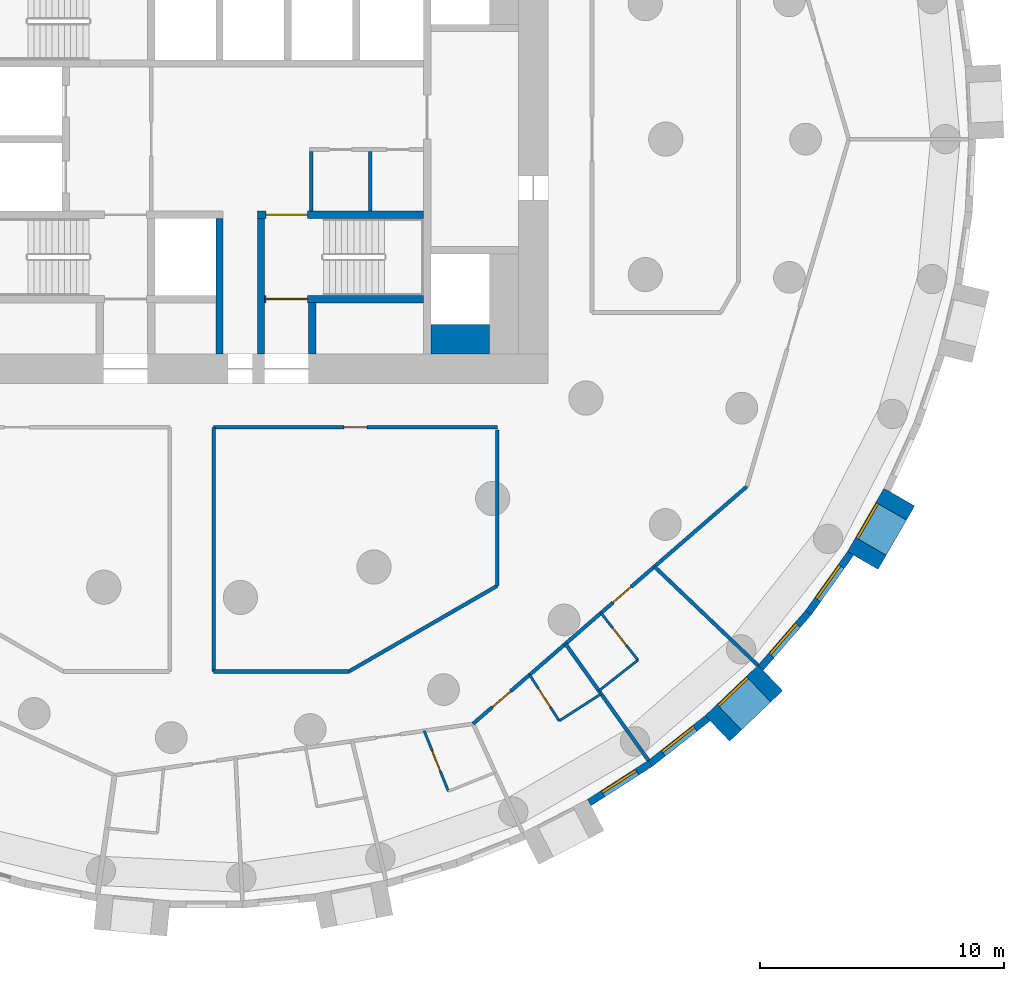
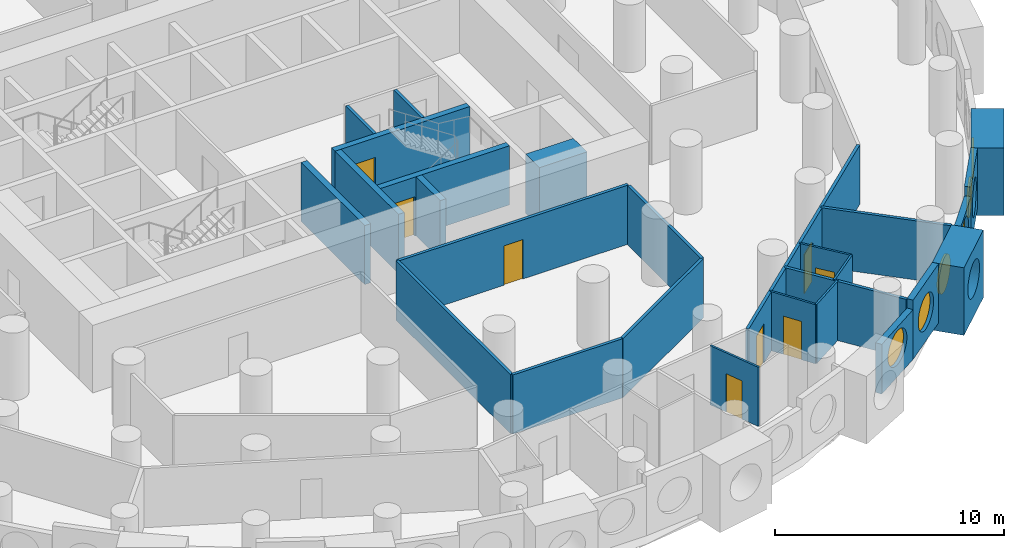
# One storey, part 5 of 11: 28 walls, 8 doors, 6 windows, 14 openings.
"""IFC4 building model written with IfcOpenShell, lengths in metres."""

from ifc_helpers import new_model, si_unit, direction, frame, frame_2d, origin, origin_2d, place, context, subcontext, project, spatial, rectangle, circle, extrude, material, layer, layer_set, type_object, element, fill, save


model = new_model("IFC4")

# Units and contexts
model_context = context("Model", 3, precision=1e-05, world=origin(), true_north=direction((0.0, 1.0)))
body_context = subcontext(model_context, "Body", "Model", "MODEL_VIEW")
ifc_project = project(units=[si_unit("LENGTHUNIT", "METRE"), si_unit("AREAUNIT", "SQUARE_METRE"), si_unit("VOLUMEUNIT", "CUBIC_METRE"), si_unit("PLANEANGLEUNIT", "RADIAN"), si_unit("MASSUNIT", "GRAM", prefix="KILO")], contexts=[model_context])

# Site, building, storey
site_placement = place(None, origin())
site = spatial("IfcSite", under=ifc_project, at=site_placement, CompositionType="ELEMENT")
building_placement = place(site_placement, origin())
building = spatial("IfcBuilding", under=site, at=building_placement, Name="Tracery Tower", CompositionType="ELEMENT")
storey_placement = place(building_placement, frame((0.0, 0.0, 96.60009765625)))
storey = spatial("IfcBuildingStorey", under=building, at=storey_placement, Name="L24", CompositionType="ELEMENT", Elevation=96.60009765625)

# Walls
ifc_material_1 = material(Name="Plasterboard on steel studs", Category="steel")
ifc_layer_1 = layer(ifc_material_1, 0.14990234375)
ifc_layer_set_1 = layer_set([ifc_layer_1], Name="Core room partition 150")
wall_type_1 = type_object("IfcWallType", Name="Core room partition 150", PredefinedType="SOLIDWALL", material=ifc_layer_set_1)
for number, where, z_axis, x_axis, name in (
    (1, (4.300048828125, -2.949951171875, 0.0), (0.0, 0.0, 1.0), (0.0, 1.0, 0.0), "L24 slot W"),
    (2, (6.72509765625, -2.949951171875, 0.0), (0.0, 0.0, 1.0), (0.0, 1.0, 0.0), "L24 slot sep 1"),
):
    element("IfcWall", number, at=place(storey_placement, frame(where, z_axis=z_axis, x_axis=x_axis)), inside=storey, type_object=wall_type_1, Name=name, PredefinedType="SOLIDWALL", context=body_context, shape_type="SweptSolid", body=[
        extrude(rectangle(XDim=2.449951171875, YDim=0.14990234375, at=frame_2d((1.22509765625, 0.0))), origin(), (0.0, 0.0, 1.0), 3.14990234375),
    ])
ifc_material_2 = material(Name="Concrete C60/75", Category="concrete")
ifc_layer_2 = layer(ifc_material_2, 1.199951171875)
ifc_layer_set_2 = layer_set([ifc_layer_2], Name="Core strip wall 1200 C60")
wall_type_2 = type_object("IfcWallType", Name="Core strip wall 1200 C60", PredefinedType="SOLIDWALL", material=ifc_layer_set_2)
wall_1_placement = place(storey_placement, frame((9.199951171875, -8.199951171875, 0.0), z_axis=(0.0, 0.0, 1.0), x_axis=(1.0, 0.0, 0.0)))
element("IfcWall", 3, at=wall_1_placement, inside=storey, type_object=wall_type_2, Name="L24 wing corner +1 -8.2", PredefinedType="SOLIDWALL", context=body_context, shape_type="SweptSolid", body=[
    extrude(rectangle(XDim=2.400146484375, YDim=1.199951171875, at=frame_2d((1.2001953125, 0.0))), origin(), (0.0, 0.0, 1.0), 3.14990234375),
])

# Wall, opening, window
ifc_material_3 = material(Name="Precast concrete C50/60", Category="concrete")
ifc_layer_3 = layer(ifc_material_3, 1.449951171875)
ifc_layer_set_3 = layer_set([ifc_layer_3], Name="Deep-set bay unit 3000 x 3600, slab edge 450")
wall_type_3 = type_object("IfcWallType", Name="Deep-set bay unit 3000 x 3600, slab edge 450", PredefinedType="ELEMENTEDWALL", material=ifc_layer_set_3)
wall_2_placement = place(storey_placement, frame((20.9375, -24.13232421875, -0.4501953125), z_axis=(0.0, 0.0, 1.0), x_axis=(0.723712023899, 0.690102098579, 0.0)))
wall_2 = element("IfcWall", 4, at=wall_2_placement, inside=storey, type_object=wall_type_3, Name="Deep-set bay unit 58 at L24", PredefinedType="ELEMENTEDWALL", context=body_context, shape_type="SweptSolid", body=[
    extrude(rectangle(XDim=3.0, YDim=1.449951171875, at=frame_2d((1.5, 0.0))), origin(), (0.0, 0.0, 1.0), 3.60009765625),
])
opening_1_placement = place(wall_2_placement, frame((1.5, 0.0, 2.0)))
opening_1 = element("IfcOpeningElement", 5, at=opening_1_placement, cuts=wall_2, Name="Opening WN1", PredefinedType="OPENING", context=body_context, shape_type="SweptSolid", body=[
    extrude(circle(Radius=0.9000244140625, at=origin_2d()), frame((0.0, 0.73486328125, 0.0), z_axis=(0.0, -1.0, 0.0), x_axis=(1.0, 0.0, 0.0)), (0.0, 0.0, 1.0), 1.469970703125),
])
ifc_material_4 = material(Name="Aluminium frame with tinted double glazing", Category="aluminium")
window_type = type_object("IfcWindowType", Name="Round window 1800", PartitioningType="SINGLE_PANEL", PredefinedType="WINDOW", material=ifc_material_4)
window_1_placement = place(opening_1_placement, origin())
window_1 = element("IfcWindow", 6, at=window_1_placement, inside=storey, type_object=window_type, Name="Round window 58 at L24", OverallHeight=1.800048828125, OverallWidth=1.800048828125, PartitioningType="SINGLE_PANEL", PredefinedType="WINDOW", context=body_context, shape_type="SweptSolid", body=[
    extrude(circle(Radius=0.9000244140625, at=origin_2d()), frame((0.0, 0.69482421875, 0.0), z_axis=(0.0, -1.0, 0.0), x_axis=(1.0, 0.0, 0.0)), (0.0, 0.0, 1.0), 0.10009765625),
])
fill(opening_1, window_1)

wall_3_placement = place(storey_placement, frame((26.88818359375, -17.256103515625, -0.4501953125), z_axis=(0.0, 0.0, 1.0), x_axis=(0.499990139034, 0.866031096941, 0.0)))
wall_3 = element("IfcWall", 7, at=wall_3_placement, inside=storey, type_object=wall_type_3, Name="Deep-set bay unit 61 at L24", PredefinedType="ELEMENTEDWALL", context=body_context, shape_type="SweptSolid", body=[
    extrude(rectangle(XDim=3.0, YDim=1.449951171875, at=frame_2d((1.5, 0.0))), origin(), (0.0, 0.0, 1.0), 3.60009765625),
])
opening_2_placement = place(wall_3_placement, frame((1.5, 0.0, 2.0)))
opening_2 = element("IfcOpeningElement", 8, at=opening_2_placement, cuts=wall_3, Name="Opening WN1", PredefinedType="OPENING", context=body_context, shape_type="SweptSolid", body=[
    extrude(circle(Radius=0.9000244140625, at=origin_2d()), frame((0.0, 0.73486328125, 0.0), z_axis=(0.0, -1.0, 0.0), x_axis=(1.0, 0.0, 0.0)), (0.0, 0.0, 1.0), 1.469970703125),
])
window_2_placement = place(opening_2_placement, origin())
window_2 = element("IfcWindow", 9, at=window_2_placement, inside=storey, type_object=window_type, Name="Round window 61 at L24", OverallHeight=1.800048828125, OverallWidth=1.800048828125, PartitioningType="SINGLE_PANEL", PredefinedType="WINDOW", context=body_context, shape_type="SweptSolid", body=[
    extrude(circle(Radius=0.9000244140625, at=origin_2d()), frame((0.0, 0.69482421875, 0.0), z_axis=(0.0, -1.0, 0.0), x_axis=(1.0, 0.0, 0.0)), (0.0, 0.0, 1.0), 0.10009765625),
])
fill(opening_2, window_2)

ifc_material_5 = material(Name="Precast concrete C50/60", Category="concrete")
ifc_layer_4 = layer(ifc_material_5, 0.300048828125)
ifc_layer_set_4 = layer_set([ifc_layer_4], Name="Facade panel 3000 x 2650")
wall_type_4 = type_object("IfcWallType", Name="Facade panel 3000 x 2650", PredefinedType="SOLIDWALL", material=ifc_layer_set_4)
wall_4_placement = place(storey_placement, frame((15.6923828125, -27.167724609375, 0.0), z_axis=(0.0, 0.0, 1.0), x_axis=(0.841260995538, 0.54062920508, 0.0)))
wall_4 = element("IfcWall", 10, at=wall_4_placement, inside=storey, type_object=wall_type_4, Name="Facade panel 56 at L24", PredefinedType="SOLIDWALL", context=body_context, shape_type="SweptSolid", body=[
    extrude(rectangle(XDim=2.9794921875, YDim=0.300048828125, at=frame_2d((1.48974609375, 0.0))), origin(), (0.0, 0.0, 1.0), 2.64990234375),
])
opening_3_placement = place(wall_4_placement, frame((1.48974609375, 0.0, 1.5498046875)))
opening_3 = element("IfcOpeningElement", 11, at=opening_3_placement, cuts=wall_4, Name="Opening WN1", PredefinedType="OPENING", context=body_context, shape_type="SweptSolid", body=[
    extrude(circle(Radius=0.9000244140625, at=origin_2d()), frame((0.0, 0.159912109375, 0.0), z_axis=(0.0, -1.0, 0.0), x_axis=(1.0, 0.0, 0.0)), (0.0, 0.0, 1.0), 0.320068359375),
])
window_3_placement = place(opening_3_placement, origin())
window_3 = element("IfcWindow", 12, at=window_3_placement, inside=storey, type_object=window_type, Name="Round window 56 at L24", OverallHeight=1.800048828125, OverallWidth=1.800048828125, PartitioningType="SINGLE_PANEL", PredefinedType="WINDOW", context=body_context, shape_type="SweptSolid", body=[
    extrude(circle(Radius=0.9000244140625, at=origin_2d()), frame((0.0, 0.1201171875, 0.0), z_axis=(0.0, -1.0, 0.0), x_axis=(1.0, 0.0, 0.0)), (0.0, 0.0, 1.0), 0.10009765625),
])
fill(opening_3, window_3)

wall_5_placement = place(storey_placement, frame((22.710693359375, -21.646240234375, 0.0), z_axis=(0.0, 0.0, 1.0), x_axis=(0.654830712471, 0.755775587066, 0.0)))
wall_5 = element("IfcWall", 13, at=wall_5_placement, inside=storey, type_object=wall_type_4, Name="Facade panel 59 at L24", PredefinedType="SOLIDWALL", context=body_context, shape_type="SweptSolid", body=[
    extrude(rectangle(XDim=2.979736328125, YDim=0.300048828125, at=frame_2d((1.48974609375, 0.0))), origin(), (0.0, 0.0, 1.0), 2.64990234375),
])
opening_4_placement = place(wall_5_placement, frame((1.48974609375, 0.0, 1.5498046875)))
opening_4 = element("IfcOpeningElement", 14, at=opening_4_placement, cuts=wall_5, Name="Opening WN1", PredefinedType="OPENING", context=body_context, shape_type="SweptSolid", body=[
    extrude(circle(Radius=0.9000244140625, at=origin_2d()), frame((0.0, 0.159912109375, 0.0), z_axis=(0.0, -1.0, 0.0), x_axis=(1.0, 0.0, 0.0)), (0.0, 0.0, 1.0), 0.320068359375),
])
window_4_placement = place(opening_4_placement, origin())
window_4 = element("IfcWindow", 15, at=window_4_placement, inside=storey, type_object=window_type, Name="Round window 59 at L24", OverallHeight=1.800048828125, OverallWidth=1.800048828125, PartitioningType="SINGLE_PANEL", PredefinedType="WINDOW", context=body_context, shape_type="SweptSolid", body=[
    extrude(circle(Radius=0.9000244140625, at=origin_2d()), frame((0.0, 0.1201171875, 0.0), z_axis=(0.0, -1.0, 0.0), x_axis=(1.0, 0.0, 0.0)), (0.0, 0.0, 1.0), 0.10009765625),
])
fill(opening_4, window_4)

ifc_material_6 = material(Name="Precast concrete C50/60", Category="concrete")
ifc_layer_5 = layer(ifc_material_6, 0.300048828125)
ifc_layer_set_5 = layer_set([ifc_layer_5], Name="Facade panel 3000 x 3150")
wall_type_5 = type_object("IfcWallType", Name="Facade panel 3000 x 3150", PredefinedType="SOLIDWALL", material=ifc_layer_set_5)
wall_6_placement = place(storey_placement, frame((18.198974609375, -25.556884765625, 0.0), z_axis=(0.0, 0.0, 1.0), x_axis=(0.786053834673, 0.618158045322, 0.0)))
wall_6 = element("IfcWall", 16, at=wall_6_placement, inside=storey, type_object=wall_type_5, Name="Facade panel 57 at L24", PredefinedType="SOLIDWALL", context=body_context, shape_type="SweptSolid", body=[
    extrude(rectangle(XDim=2.9794921875, YDim=0.300048828125, at=frame_2d((1.48974609375, 0.0))), origin(), (0.0, 0.0, 1.0), 3.14990234375),
])
opening_5_placement = place(wall_6_placement, frame((1.48974609375, 0.0, 1.5498046875)))
opening_5 = element("IfcOpeningElement", 17, at=opening_5_placement, cuts=wall_6, Name="Opening WN1", PredefinedType="OPENING", context=body_context, shape_type="SweptSolid", body=[
    extrude(circle(Radius=0.9000244140625, at=origin_2d()), frame((0.0, 0.159912109375, 0.0), z_axis=(0.0, -1.0, 0.0), x_axis=(1.0, 0.0, 0.0)), (0.0, 0.0, 1.0), 0.320068359375),
])
window_5_placement = place(opening_5_placement, origin())
window_5 = element("IfcWindow", 18, at=window_5_placement, inside=storey, type_object=window_type, Name="Round window 57 at L24", OverallHeight=1.800048828125, OverallWidth=1.800048828125, PartitioningType="SINGLE_PANEL", PredefinedType="WINDOW", context=body_context, shape_type="SweptSolid", body=[
    extrude(circle(Radius=0.9000244140625, at=origin_2d()), frame((0.0, 0.1201171875, 0.0), z_axis=(0.0, -1.0, 0.0), x_axis=(1.0, 0.0, 0.0)), (0.0, 0.0, 1.0), 0.10009765625),
])
fill(opening_5, window_5)

wall_7_placement = place(storey_placement, frame((24.661865234375, -19.394287109375, 0.0), z_axis=(0.0, 0.0, 1.0), x_axis=(0.580113774115, 0.814535456, 0.0)))
wall_7 = element("IfcWall", 19, at=wall_7_placement, inside=storey, type_object=wall_type_5, Name="Facade panel 60 at L24", PredefinedType="SOLIDWALL", context=body_context, shape_type="SweptSolid", body=[
    extrude(rectangle(XDim=2.979736328125, YDim=0.300048828125, at=frame_2d((1.48974609375, 0.0))), origin(), (0.0, 0.0, 1.0), 3.14990234375),
])
opening_6_placement = place(wall_7_placement, frame((1.48974609375, 0.0, 1.5498046875)))
opening_6 = element("IfcOpeningElement", 20, at=opening_6_placement, cuts=wall_7, Name="Opening WN1", PredefinedType="OPENING", context=body_context, shape_type="SweptSolid", body=[
    extrude(circle(Radius=0.9000244140625, at=origin_2d()), frame((0.0, 0.159912109375, 0.0), z_axis=(0.0, -1.0, 0.0), x_axis=(1.0, 0.0, 0.0)), (0.0, 0.0, 1.0), 0.320068359375),
])
window_6_placement = place(opening_6_placement, origin())
window_6 = element("IfcWindow", 21, at=window_6_placement, inside=storey, type_object=window_type, Name="Round window 60 at L24", OverallHeight=1.800048828125, OverallWidth=1.800048828125, PartitioningType="SINGLE_PANEL", PredefinedType="WINDOW", context=body_context, shape_type="SweptSolid", body=[
    extrude(circle(Radius=0.9000244140625, at=origin_2d()), frame((0.0, 0.1201171875, 0.0), z_axis=(0.0, -1.0, 0.0), x_axis=(1.0, 0.0, 0.0)), (0.0, 0.0, 1.0), 0.10009765625),
])
fill(opening_6, window_6)

# Wall, opening, door
ifc_material_7 = material(Name="Plasterboard on steel studs", Category="steel")
ifc_layer_6 = layer(ifc_material_7, 0.10009765625)
ifc_layer_set_6 = layer_set([ifc_layer_6], Name="Partition 100 wet wall")
wall_type_6 = type_object("IfcWallType", Name="Partition 100 wet wall", PredefinedType="PARTITIONING", material=ifc_layer_set_6)
wall_8_placement = place(storey_placement, frame((8.929931640625, -24.22802734375, 0.0), z_axis=(0.0, 0.0, 1.0), x_axis=(0.371564281805, -0.928407229876, 0.0)))
wall_8 = element("IfcWall", 22, at=wall_8_placement, inside=storey, type_object=wall_type_6, Name="Wet wall RA7-079", PredefinedType="PARTITIONING", context=body_context, shape_type="SweptSolid", body=[
    extrude(rectangle(XDim=2.6669921875, YDim=0.10009765625, at=frame_2d((1.33349609375, 0.0))), origin(), (0.0, 0.0, 1.0), 3.14990234375),
])
opening_7_placement = place(wall_8_placement, frame((0.883056640625, 0.0, 0.0)))
opening_7 = element("IfcOpeningElement", 23, at=opening_7_placement, cuts=wall_8, Name="Opening RA7-31", PredefinedType="OPENING", context=body_context, shape_type="SweptSolid", body=[
    extrude(rectangle(XDim=0.89990234375, YDim=2.0400390625, at=frame_2d((0.449951171875, 1.02001953125))), frame((0.0, 0.050048828125, 0.0), z_axis=(0.0, -1.0, 0.0), x_axis=(1.0, 0.0, 0.0)), (0.0, 0.0, 1.0), 0.10009765625),
])
ifc_material_8 = material(Name="Timber door leaf", Category="wood")
door_type_1 = type_object("IfcDoorType", Name="Door en-suite 900", OperationType="NOTDEFINED", PredefinedType="DOOR", material=ifc_material_8)
door_1_placement = place(opening_7_placement, origin())
door_1 = element("IfcDoor", 24, at=door_1_placement, inside=storey, type_object=door_type_1, Name="En-suite door RA7-31", OperationType="SINGLE_SWING_LEFT", OverallHeight=2.0400390625, OverallWidth=0.89990234375, PredefinedType="DOOR", context=body_context, shape_type="SweptSolid", body=[
    extrude(rectangle(XDim=0.89990234375, YDim=2.0400390625, at=frame_2d((0.449951171875, 1.02001953125))), frame((0.0, 0.02490234375, 0.0), z_axis=(0.0, -1.0, 0.0), x_axis=(1.0, 0.0, 0.0)), (0.0, 0.0, 1.0), 0.050048828125),
])
fill(opening_7, door_1)

wall_9_placement = place(storey_placement, frame((13.248046875, -21.93505859375, 0.0), z_axis=(0.0, 0.0, 1.0), x_axis=(0.540597960994, -0.841281073464, 0.0)))
wall_9 = element("IfcWall", 25, at=wall_9_placement, inside=storey, type_object=wall_type_6, Name="Wet wall RA7-082", PredefinedType="PARTITIONING", context=body_context, shape_type="SweptSolid", body=[
    extrude(rectangle(XDim=2.24169921875, YDim=0.10009765625, at=frame_2d((1.120849609375, 0.0))), origin(), (0.0, 0.0, 1.0), 3.14990234375),
])
opening_8_placement = place(wall_9_placement, frame((0.6708984375, 0.0, 0.0)))
opening_8 = element("IfcOpeningElement", 26, at=opening_8_placement, cuts=wall_9, Name="Opening RA7-33", PredefinedType="OPENING", context=body_context, shape_type="SweptSolid", body=[
    extrude(rectangle(XDim=0.89990234375, YDim=2.0400390625, at=frame_2d((0.449951171875, 1.02001953125))), frame((0.0, 0.050048828125, 0.0), z_axis=(0.0, -1.0, 0.0), x_axis=(1.0, 0.0, 0.0)), (0.0, 0.0, 1.0), 0.10009765625),
])
door_2_placement = place(opening_8_placement, origin())
door_2 = element("IfcDoor", 27, at=door_2_placement, inside=storey, type_object=door_type_1, Name="En-suite door RA7-33", OperationType="SINGLE_SWING_RIGHT", OverallHeight=2.0400390625, OverallWidth=0.89990234375, PredefinedType="DOOR", context=body_context, shape_type="SweptSolid", body=[
    extrude(rectangle(XDim=0.89990234375, YDim=2.0400390625, at=frame_2d((0.449951171875, 1.02001953125))), frame((0.0, 0.02490234375, 0.0), z_axis=(0.0, -1.0, 0.0), x_axis=(1.0, 0.0, 0.0)), (0.0, 0.0, 1.0), 0.050048828125),
])
fill(opening_8, door_2)

# Walls
wall_10_placement = place(storey_placement, frame((14.4599609375, -23.821044921875, 0.0), z_axis=(0.0, 0.0, 1.0), x_axis=(0.841135728185, 0.540824081168, 0.0)))
element("IfcWall", 28, at=wall_10_placement, inside=storey, type_object=wall_type_6, Name="Wet wall RA7-083", PredefinedType="PARTITIONING", context=body_context, shape_type="SweptSolid", body=[
    extrude(rectangle(XDim=2.041259765625, YDim=0.10009765625, at=frame_2d((1.0205078125, 0.0))), origin(), (0.0, 0.0, 1.0), 3.14990234375),
])
wall_11_placement = place(storey_placement, frame((16.0859375, -22.589111328125, 0.0), z_axis=(0.0, 0.0, 1.0), x_axis=(0.785984904201, 0.618245687707, 0.0)))
element("IfcWall", 29, at=wall_11_placement, inside=storey, type_object=wall_type_6, Name="Wet wall RA7-085", PredefinedType="PARTITIONING", context=body_context, shape_type="SweptSolid", body=[
    extrude(rectangle(XDim=2.033203125, YDim=0.10009765625, at=frame_2d((1.0166015625, 0.0))), origin(), (0.0, 0.0, 1.0), 3.14990234375),
])

# Wall, opening, door
wall_12_placement = place(storey_placement, frame((16.16796875, -19.404052734375, 0.0), z_axis=(0.0, 0.0, 1.0), x_axis=(0.618142414415, -0.786066126672, 0.0)))
wall_12 = element("IfcWall", 30, at=wall_12_placement, inside=storey, type_object=wall_type_6, Name="Wet wall RA7-086", PredefinedType="PARTITIONING", context=body_context, shape_type="SweptSolid", body=[
    extrude(rectangle(XDim=2.45263671875, YDim=0.10009765625, at=frame_2d((1.226318359375, 0.0))), origin(), (0.0, 0.0, 1.0), 3.14990234375),
])
opening_9_placement = place(wall_12_placement, frame((0.776611328125, 0.0, 0.0)))
opening_9 = element("IfcOpeningElement", 31, at=opening_9_placement, cuts=wall_12, Name="Opening RA7-35", PredefinedType="OPENING", context=body_context, shape_type="SweptSolid", body=[
    extrude(rectangle(XDim=0.89990234375, YDim=2.0400390625, at=frame_2d((0.449951171875, 1.02001953125))), frame((0.0, 0.050048828125, 0.0), z_axis=(0.0, -1.0, 0.0), x_axis=(1.0, 0.0, 0.0)), (0.0, 0.0, 1.0), 0.10009765625),
])
door_3_placement = place(opening_9_placement, origin())
door_3 = element("IfcDoor", 32, at=door_3_placement, inside=storey, type_object=door_type_1, Name="En-suite door RA7-35", OperationType="SINGLE_SWING_LEFT", OverallHeight=2.0400390625, OverallWidth=0.89990234375, PredefinedType="DOOR", context=body_context, shape_type="SweptSolid", body=[
    extrude(rectangle(XDim=0.89990234375, YDim=2.0400390625, at=frame_2d((0.449951171875, 1.02001953125))), frame((0.0, 0.02490234375, 0.0), z_axis=(0.0, -1.0, 0.0), x_axis=(1.0, 0.0, 0.0)), (0.0, 0.0, 1.0), 0.050048828125),
])
fill(opening_9, door_3)

# Walls
ifc_material_9 = material(Name="Plasterboard on steel studs", Category="steel")
ifc_layer_7 = layer(ifc_material_9, 0.14990234375)
ifc_layer_set_7 = layer_set([ifc_layer_7], Name="Partition 150 acoustic unit wall")
wall_type_7 = type_object("IfcWallType", Name="Partition 150 acoustic unit wall", PredefinedType="PARTITIONING", material=ifc_layer_set_7)
wall_13_placement = place(storey_placement, frame((14.71533203125, -20.663818359375, 0.0), z_axis=(0.0, 0.0, 1.0), x_axis=(0.57995989616, -0.814645026282, 0.0)))
element("IfcWall", 33, at=wall_13_placement, inside=storey, type_object=wall_type_7, Name="Unit wall RA7-084", PredefinedType="PARTITIONING", context=body_context, shape_type="SweptSolid", body=[
    extrude(rectangle(XDim=5.85693359375, YDim=0.14990234375, at=frame_2d((2.928466796875, 0.0))), origin(), (0.0, 0.0, 1.0), 3.14990234375),
])
wall_14_placement = place(storey_placement, frame((18.35888671875, -17.506103515625, 0.0), z_axis=(0.0, 0.0, 1.0), x_axis=(0.723808715798, -0.690000683286, 0.0)))
element("IfcWall", 34, at=wall_14_placement, inside=storey, type_object=wall_type_7, Name="Unit wall RA7-087", PredefinedType="PARTITIONING", context=body_context, shape_type="SweptSolid", body=[
    extrude(rectangle(XDim=5.8564453125, YDim=0.14990234375, at=frame_2d((2.92822265625, 0.0))), origin(), (0.0, 0.0, 1.0), 3.14990234375),
])

# Wall, opening, door
ifc_material_10 = material(Name="Plasterboard on steel studs", Category="steel")
ifc_layer_8 = layer(ifc_material_10, 0.14990234375)
ifc_layer_set_8 = layer_set([ifc_layer_8], Name="Partition 150 corridor wall")
wall_type_8 = type_object("IfcWallType", Name="Partition 150 corridor wall", PredefinedType="PARTITIONING", material=ifc_layer_set_8)
wall_15_placement = place(storey_placement, frame((0.305908203125, -11.800048828125, 0.0), z_axis=(0.0, 0.0, 1.0), x_axis=(1.0, 0.0, 0.0)))
wall_15 = element("IfcWall", 35, at=wall_15_placement, inside=storey, type_object=wall_type_8, Name="Corridor wall RA7-004", PredefinedType="PARTITIONING", context=body_context, shape_type="SweptSolid", body=[
    extrude(rectangle(XDim=11.6181640625, YDim=0.14990234375, at=frame_2d((5.80908203125, 0.0))), origin(), (0.0, 0.0, 1.0), 3.14990234375),
])
opening_10_placement = place(wall_15_placement, frame((5.333984375, 0.0, 0.0)))
opening_10 = element("IfcOpeningElement", 36, at=opening_10_placement, cuts=wall_15, Name="Opening RA7-04", PredefinedType="OPENING", context=body_context, shape_type="SweptSolid", body=[
    extrude(rectangle(XDim=0.949951171875, YDim=2.10009765625, at=frame_2d((0.47509765625, 1.050048828125))), frame((0.0, 0.074951171875, 0.0), z_axis=(0.0, -1.0, 0.0), x_axis=(1.0, 0.0, 0.0)), (0.0, 0.0, 1.0), 0.14990234375),
])
ifc_material_11 = material(Name="Timber door leaf", Category="wood")
door_type_2 = type_object("IfcDoorType", Name="Door store 950", OperationType="NOTDEFINED", PredefinedType="DOOR", material=ifc_material_11)
door_4_placement = place(opening_10_placement, origin())
door_4 = element("IfcDoor", 37, at=door_4_placement, inside=storey, type_object=door_type_2, Name="Store door RA7-04", OperationType="SINGLE_SWING_LEFT", OverallHeight=2.10009765625, OverallWidth=0.949951171875, PredefinedType="DOOR", context=body_context, shape_type="SweptSolid", body=[
    extrude(rectangle(XDim=0.949951171875, YDim=2.10009765625, at=frame_2d((0.47509765625, 1.050048828125))), frame((0.0, 0.02490234375, 0.0), z_axis=(0.0, -1.0, 0.0), x_axis=(1.0, 0.0, 0.0)), (0.0, 0.0, 1.0), 0.050048828125),
])
fill(opening_10, door_4)

wall_16_placement = place(storey_placement, frame((13.247314453125, -21.939453125, 0.0), z_axis=(0.0, 0.0, 1.0), x_axis=(0.755420750547, 0.655240024451, 0.0)))
wall_16 = element("IfcWall", 38, at=wall_16_placement, inside=storey, type_object=wall_type_8, Name="Corridor wall RA7-014", PredefinedType="PARTITIONING", context=body_context, shape_type="SweptSolid", body=[
    extrude(rectangle(XDim=11.770751953125, YDim=0.14990234375, at=frame_2d((5.88525390625, 0.0))), origin(), (0.0, 0.0, 1.0), 3.14990234375),
])
opening_11_placement = place(wall_16_placement, frame((4.512939453125, 0.0, 0.0)))
opening_11 = element("IfcOpeningElement", 39, at=opening_11_placement, cuts=wall_16, Name="Opening RA7-36", PredefinedType="OPENING", context=body_context, shape_type="SweptSolid", body=[
    extrude(rectangle(XDim=1.0, YDim=2.10009765625, at=frame_2d((0.5, 1.050048828125))), frame((0.0, 0.074951171875, 0.0), z_axis=(0.0, -1.0, 0.0), x_axis=(1.0, 0.0, 0.0)), (0.0, 0.0, 1.0), 0.14990234375),
])
ifc_material_12 = material(Name="Timber door leaf", Category="wood")
door_type_3 = type_object("IfcDoorType", Name="Door unit entrance 1000", OperationType="NOTDEFINED", PredefinedType="DOOR", material=ifc_material_12)
door_5_placement = place(opening_11_placement, origin())
door_5 = element("IfcDoor", 40, at=door_5_placement, inside=storey, type_object=door_type_3, Name="Unit entrance door RA7-36", OperationType="SINGLE_SWING_LEFT", OverallHeight=2.10009765625, OverallWidth=1.0, PredefinedType="DOOR", context=body_context, shape_type="SweptSolid", body=[
    extrude(rectangle(XDim=1.0, YDim=2.10009765625, at=frame_2d((0.5, 1.050048828125))), frame((0.0, 0.02490234375, 0.0), z_axis=(0.0, -1.0, 0.0), x_axis=(1.0, 0.0, 0.0)), (0.0, 0.0, 1.0), 0.050048828125),
])
fill(opening_11, door_5)

# Walls
wall_17_placement = place(storey_placement, frame((0.31005859375, -21.802001953125, 0.0), z_axis=(0.0, 0.0, 1.0), x_axis=(0.0, 1.0, 0.0)))
element("IfcWall", 41, at=wall_17_placement, inside=storey, type_object=wall_type_8, Name="Corridor wall RA7-039", PredefinedType="PARTITIONING", context=body_context, shape_type="SweptSolid", body=[
    extrude(rectangle(XDim=10.001953125, YDim=0.14990234375, at=frame_2d((5.0009765625, 0.0))), origin(), (0.0, 0.0, 1.0), 3.14990234375),
])
wall_18_placement = place(storey_placement, frame((0.31005859375, -21.802001953125, 0.0), z_axis=(0.0, 0.0, 1.0), x_axis=(1.0, 0.0, 0.0)))
element("IfcWall", 42, at=wall_18_placement, inside=storey, type_object=wall_type_8, Name="Corridor wall RA7-040", PredefinedType="PARTITIONING", context=body_context, shape_type="SweptSolid", body=[
    extrude(rectangle(XDim=5.531982421875, YDim=0.14990234375, at=frame_2d((2.76611328125, 0.0))), origin(), (0.0, 0.0, 1.0), 3.14990234375),
])
wall_19_placement = place(storey_placement, frame((5.842041015625, -21.802001953125, 0.0), z_axis=(0.0, 0.0, 1.0), x_axis=(0.866027436592, 0.499996479058, 0.0)))
element("IfcWall", 43, at=wall_19_placement, inside=storey, type_object=wall_type_8, Name="Corridor wall RA7-041", PredefinedType="PARTITIONING", context=body_context, shape_type="SweptSolid", body=[
    extrude(rectangle(XDim=7.01806640625, YDim=0.14990234375, at=frame_2d((3.509033203125, 0.0))), origin(), (0.0, 0.0, 1.0), 3.14990234375),
])
wall_20_placement = place(storey_placement, frame((11.919921875, -18.29296875, 0.0), z_axis=(0.0, 0.0, 1.0), x_axis=(0.0, 1.0, 0.0)))
element("IfcWall", 44, at=wall_20_placement, inside=storey, type_object=wall_type_8, Name="Corridor wall RA7-042", PredefinedType="PARTITIONING", context=body_context, shape_type="SweptSolid", body=[
    extrude(rectangle(XDim=6.373046875, YDim=0.14990234375, at=frame_2d((3.1865234375, 0.0))), origin(), (0.0, 0.0, 1.0), 3.14990234375),
])

# Wall, opening, door
wall_21_placement = place(storey_placement, frame((10.93310546875, -23.93994140625, 0.0), z_axis=(0.0, 0.0, 1.0), x_axis=(0.755675945931, 0.654945696025, 0.0)))
wall_21 = element("IfcWall", 45, at=wall_21_placement, inside=storey, type_object=wall_type_8, Name="Corridor wall RA7-045", PredefinedType="PARTITIONING", context=body_context, shape_type="SweptSolid", body=[
    extrude(rectangle(XDim=3.06591796875, YDim=0.14990234375, at=frame_2d((1.532958984375, 0.0))), origin(), (0.0, 0.0, 1.0), 3.14990234375),
])
opening_12_placement = place(wall_21_placement, frame((1.032958984375, 0.0, 0.0)))
opening_12 = element("IfcOpeningElement", 46, at=opening_12_placement, cuts=wall_21, Name="Opening RA7-34", PredefinedType="OPENING", context=body_context, shape_type="SweptSolid", body=[
    extrude(rectangle(XDim=1.0, YDim=2.10009765625, at=frame_2d((0.5, 1.050048828125))), frame((0.0, 0.074951171875, 0.0), z_axis=(0.0, -1.0, 0.0), x_axis=(1.0, 0.0, 0.0)), (0.0, 0.0, 1.0), 0.14990234375),
])
door_6_placement = place(opening_12_placement, origin())
door_6 = element("IfcDoor", 47, at=door_6_placement, inside=storey, type_object=door_type_3, Name="Unit entrance door RA7-34", OperationType="SINGLE_SWING_LEFT", OverallHeight=2.10009765625, OverallWidth=1.0, PredefinedType="DOOR", context=body_context, shape_type="SweptSolid", body=[
    extrude(rectangle(XDim=1.0, YDim=2.10009765625, at=frame_2d((0.5, 1.050048828125))), frame((0.0, 0.02490234375, 0.0), z_axis=(0.0, -1.0, 0.0), x_axis=(1.0, 0.0, 0.0)), (0.0, 0.0, 1.0), 0.050048828125),
])
fill(opening_12, door_6)

# Walls
ifc_material_13 = material(Name="Concrete C60/75", Category="concrete")
ifc_layer_9 = layer(ifc_material_13, 0.300048828125)
ifc_layer_set_9 = layer_set([ifc_layer_9], Name="Shaft wall 300 C60")
wall_type_9 = type_object("IfcWallType", Name="Shaft wall 300 C60", PredefinedType="SOLIDWALL", material=ifc_layer_set_9)
wall_22_placement = place(storey_placement, frame((0.550048828125, -8.800048828125, 0.0), z_axis=(0.0, 0.0, 1.0), x_axis=(0.0, 1.0, 0.0)))
element("IfcWall", 48, at=wall_22_placement, inside=storey, type_object=wall_type_9, Name="L24 OB2 E", PredefinedType="SOLIDWALL", context=body_context, shape_type="SweptSolid", body=[
    extrude(rectangle(XDim=5.550048828125, YDim=0.300048828125, at=frame_2d((2.77490234375, 0.0))), origin(), (0.0, 0.0, 1.0), 3.14990234375),
])
wall_23_placement = place(storey_placement, frame((4.35009765625, -8.800048828125, 0.0), z_axis=(0.0, 0.0, 1.0), x_axis=(0.0, 1.0, 0.0)))
element("IfcWall", 49, at=wall_23_placement, inside=storey, type_object=wall_type_9, Name="L24 band S +4.35", PredefinedType="SOLIDWALL", context=body_context, shape_type="SweptSolid", body=[
    extrude(rectangle(XDim=2.10009765625, YDim=0.300048828125, at=frame_2d((1.050048828125, 0.0))), origin(), (0.0, 0.0, 1.0), 3.14990234375),
])

# Wall, opening, door
ifc_material_14 = material(Name="Concrete C60/75", Category="concrete")
ifc_layer_10 = layer(ifc_material_14, 0.300048828125)
ifc_layer_set_10 = layer_set([ifc_layer_10], Name="Stair wall 300 C60")
wall_type_10 = type_object("IfcWallType", Name="Stair wall 300 C60", PredefinedType="SOLIDWALL", material=ifc_layer_set_10)
wall_24_placement = place(storey_placement, frame((2.10009765625, -3.10009765625, 0.0), z_axis=(0.0, 0.0, 1.0), x_axis=(1.0, 0.0, 0.0)))
wall_24 = element("IfcWall", 50, at=wall_24_placement, inside=storey, type_object=wall_type_10, Name="L24 row S E", PredefinedType="SOLIDWALL", context=body_context, shape_type="SweptSolid", body=[
    extrude(rectangle(XDim=6.7998046875, YDim=0.300048828125, at=frame_2d((3.39990234375, 0.0))), origin(), (0.0, 0.0, 1.0), 3.14990234375),
])
opening_13_placement = place(wall_24_placement, frame((0.35009765625, 0.0, 0.0)))
opening_13 = element("IfcOpeningElement", 51, at=opening_13_placement, cuts=wall_24, Name="Opening KD3", PredefinedType="OPENING", context=body_context, shape_type="SweptSolid", body=[
    extrude(rectangle(XDim=1.699951171875, YDim=2.10009765625, at=frame_2d((0.85009765625, 1.050048828125))), frame((0.0, 0.14990234375, 0.0), z_axis=(0.0, -1.0, 0.0), x_axis=(1.0, 0.0, 0.0)), (0.0, 0.0, 1.0), 0.300048828125),
])
ifc_material_15 = material(Name="Steel fire door", Category="steel")
door_type_4 = type_object("IfcDoorType", Name="Core stair door 1700 double", OperationType="NOTDEFINED", PredefinedType="DOOR", material=ifc_material_15)
door_7_placement = place(opening_13_placement, origin())
door_7 = element("IfcDoor", 52, at=door_7_placement, inside=storey, type_object=door_type_4, Name="Stair door ST2", OperationType="DOUBLE_DOOR_SINGLE_SWING", OverallHeight=2.10009765625, OverallWidth=1.699951171875, PredefinedType="DOOR", context=body_context, shape_type="SweptSolid", body=[
    extrude(rectangle(XDim=1.699951171875, YDim=2.10009765625, at=frame_2d((0.85009765625, 1.050048828125))), frame((0.0, 0.02490234375, 0.0), z_axis=(0.0, -1.0, 0.0), x_axis=(1.0, 0.0, 0.0)), (0.0, 0.0, 1.0), 0.050048828125),
])
fill(opening_13, door_7)

# Wall
wall_25_placement = place(storey_placement, frame((2.25, -8.800048828125, 0.0), z_axis=(0.0, 0.0, 1.0), x_axis=(0.0, 1.0, 0.0)))
element("IfcWall", 53, at=wall_25_placement, inside=storey, type_object=wall_type_10, Name="L24 ST2 W", PredefinedType="SOLIDWALL", context=body_context, shape_type="SweptSolid", body=[
    extrude(rectangle(XDim=5.550048828125, YDim=0.300048828125, at=frame_2d((2.77490234375, 0.0))), origin(), (0.0, 0.0, 1.0), 3.14990234375),
])

# Wall, opening, door
wall_26_placement = place(storey_placement, frame((2.39990234375, -6.550048828125, 0.0), z_axis=(0.0, 0.0, 1.0), x_axis=(1.0, 0.0, 0.0)))
wall_26 = element("IfcWall", 54, at=wall_26_placement, inside=storey, type_object=wall_type_10, Name="L24 F S E", PredefinedType="SOLIDWALL", context=body_context, shape_type="SweptSolid", body=[
    extrude(rectangle(XDim=6.5, YDim=0.300048828125, at=frame_2d((3.25, 0.0))), origin(), (0.0, 0.0, 1.0), 3.14990234375),
])
opening_14_placement = place(wall_26_placement, frame((0.050048828125, 0.0, 0.0)))
opening_14 = element("IfcOpeningElement", 55, at=opening_14_placement, cuts=wall_26, Name="Opening KD3", PredefinedType="OPENING", context=body_context, shape_type="SweptSolid", body=[
    extrude(rectangle(XDim=1.699951171875, YDim=2.10009765625, at=frame_2d((0.85009765625, 1.050048828125))), frame((0.0, 0.14990234375, 0.0), z_axis=(0.0, -1.0, 0.0), x_axis=(1.0, 0.0, 0.0)), (0.0, 0.0, 1.0), 0.300048828125),
])
door_8_placement = place(opening_14_placement, origin())
door_8 = element("IfcDoor", 56, at=door_8_placement, inside=storey, type_object=door_type_4, Name="Stair door ST2 S", OperationType="DOUBLE_DOOR_SINGLE_SWING", OverallHeight=2.10009765625, OverallWidth=1.699951171875, PredefinedType="DOOR", context=body_context, shape_type="SweptSolid", body=[
    extrude(rectangle(XDim=1.699951171875, YDim=2.10009765625, at=frame_2d((0.85009765625, 1.050048828125))), frame((0.0, 0.02490234375, 0.0), z_axis=(0.0, -1.0, 0.0), x_axis=(1.0, 0.0, 0.0)), (0.0, 0.0, 1.0), 0.050048828125),
])
fill(opening_14, door_8)

save(model, "model.ifc")
